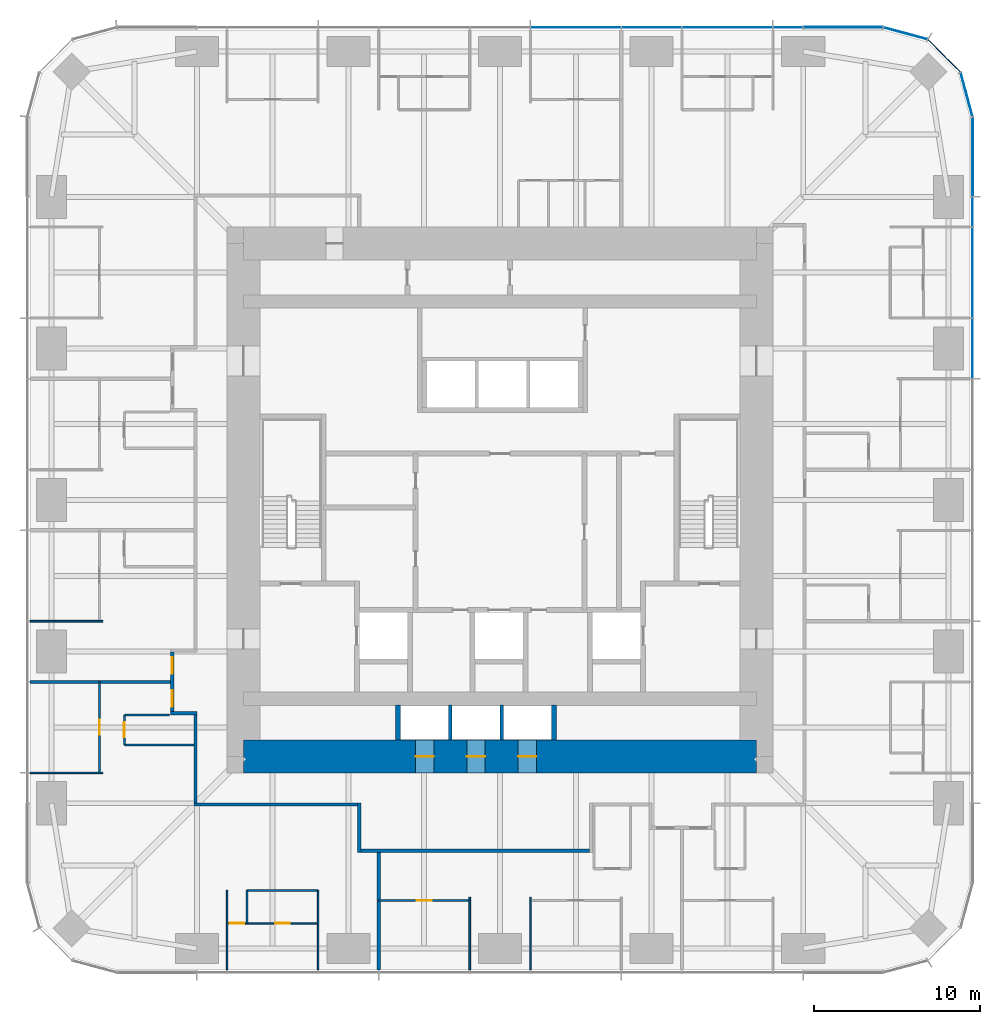
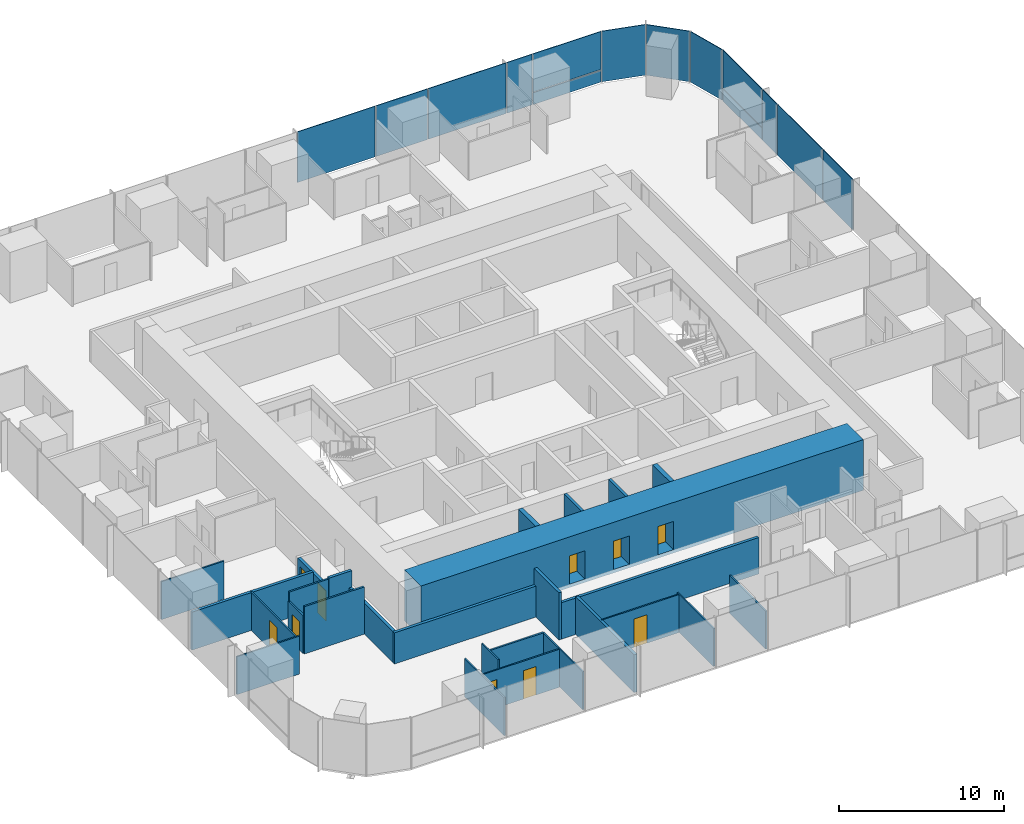
# One storey, part 8 of 13: 27 walls, 14 plates, 10 doors, 10 openings, 3 elements without a shape of their own.
"""IFC4 building model written with IfcOpenShell, lengths in metres."""

from ifc_helpers import new_model, si_unit, direction, frame, frame_2d, origin, origin_2d, place, context, subcontext, project, spatial, rectangle, extrude, material, layer, layer_set, type_object, element, fill, aggregate, save


model = new_model("IFC4")

# Units and contexts
model_context = context("Model", 3, precision=1e-05, world=origin(), true_north=direction((0.0, 1.0)))
body_context = subcontext(model_context, "Body", "Model", "MODEL_VIEW")
ifc_project = project(units=[si_unit("LENGTHUNIT", "METRE"), si_unit("AREAUNIT", "SQUARE_METRE"), si_unit("VOLUMEUNIT", "CUBIC_METRE"), si_unit("PLANEANGLEUNIT", "RADIAN"), si_unit("MASSUNIT", "GRAM", prefix="KILO")], contexts=[model_context])

# Site, building, storey
site_placement = place(None, origin())
site = spatial("IfcSite", under=ifc_project, at=site_placement, CompositionType="ELEMENT")
building_placement = place(site_placement, origin())
building = spatial("IfcBuilding", under=site, at=building_placement, Name="Khuree Lantern Residences", CompositionType="ELEMENT")
storey_placement = place(building_placement, frame((0.0, 0.0, 163.5)))
storey = spatial("IfcBuildingStorey", under=building, at=storey_placement, Name="L41", CompositionType="ELEMENT", Elevation=163.5)

# Curtain wall, plates
ifc_material_1 = material(Name="Bronze anodised aluminium", Category="aluminium")
curtain_wall_type_1 = type_object("IfcCurtainWallType", Name="CW-T2 TOWER CORNER CURTAIN WALL", PredefinedType="USERDEFINED", material=ifc_material_1)
curtain_wall_1_placement = place(storey_placement, origin())
curtain_wall_1 = element("IfcCurtainWall", 1, at=curtain_wall_1_placement, inside=storey, type_object=curtain_wall_type_1, Name="L41 NORTH-EAST CORNER CURTAIN WALL", ObjectType="Faceted corner curtain wall", PredefinedType="USERDEFINED")
ifc_material_2 = material(Name="Bronze tinted triple glazing", Category="glass")
ifc_layer_1 = layer(ifc_material_2, 0.048095703125)
ifc_layer_set_1 = layer_set([ifc_layer_1], Name="FACET PANEL P4")
plate_type_1 = type_object("IfcPlateType", Name="FACET PANEL P4", PredefinedType="CURTAIN_PANEL", material=ifc_layer_set_1)
plate_1_placement = place(storey_placement, frame((28.188720703125, 24.498046875, 0.0), z_axis=(0.0, 0.0, 1.0), x_axis=(-0.258819105321, 0.965925810153, 0.0)))
plate_1 = element("IfcPlate", 2, at=plate_1_placement, type_object=plate_type_1, Name="L41 NORTH-EAST CORNER PANEL 15.1", PredefinedType="CURTAIN_PANEL", context=body_context, shape_type="SweptSolid", body=[
    extrude(rectangle(XDim=2.71923828125, YDim=0.048095703125, at=origin_2d()), origin(), (0.0, 0.0, 1.0), 3.75),
])
plate_2_placement = place(storey_placement, frame((26.83837890625, 26.83837890625, 0.0), z_axis=(0.0, 0.0, 1.0), x_axis=(-0.707106781187, 0.707106781187, 0.0)))
plate_2 = element("IfcPlate", 3, at=plate_2_placement, type_object=plate_type_1, Name="L41 NORTH-EAST CORNER PANEL 16.1", PredefinedType="CURTAIN_PANEL", context=body_context, shape_type="SweptSolid", body=[
    extrude(rectangle(XDim=2.715087890625, YDim=0.048095703125, at=origin_2d()), origin(), (0.0, 0.0, 1.0), 3.75),
])
plate_3_placement = place(storey_placement, frame((24.498046875, 28.188720703125, 0.0), z_axis=(0.0, 0.0, 1.0), x_axis=(-0.965925810153, 0.258819105321, 0.0)))
plate_3 = element("IfcPlate", 4, at=plate_3_placement, type_object=plate_type_1, Name="L41 NORTH-EAST CORNER PANEL 17.1", PredefinedType="CURTAIN_PANEL", context=body_context, shape_type="SweptSolid", body=[
    extrude(rectangle(XDim=2.71923828125, YDim=0.048095703125, at=origin_2d()), origin(), (0.0, 0.0, 1.0), 3.75),
])
aggregate(curtain_wall_1, [plate_1, plate_2, plate_3])

# Curtain wall, plate
curtain_wall_type_2 = type_object("IfcCurtainWallType", Name="CW-T1 TOWER FACE CURTAIN WALL", PredefinedType="USERDEFINED", material=ifc_material_1)
curtain_wall_2_placement = place(storey_placement, origin())
curtain_wall_2 = element("IfcCurtainWall", 5, at=curtain_wall_2_placement, inside=storey, type_object=curtain_wall_type_2, Name="L41 EAST FACE CURTAIN WALL", ObjectType="Stick-built curtain wall", PredefinedType="USERDEFINED")
ifc_material_3 = material(Name="Bronze tinted triple glazing with a ceramic-fritted spandrel band", Category="glass")
ifc_layer_2 = layer(ifc_material_3, 0.048095703125)
ifc_layer_set_2 = layer_set([ifc_layer_2], Name="FIXED LIGHT PANEL P11")
plate_type_2 = type_object("IfcPlateType", Name="FIXED LIGHT PANEL P11", PredefinedType="CURTAIN_PANEL", material=ifc_layer_set_2)
plate_4_placement = place(storey_placement, frame((28.550048828125, 13.739990234375, 0.0), z_axis=(0.0, 0.0, 1.0), x_axis=(0.0, 1.0, 0.0)))
plate_4 = element("IfcPlate", 6, at=plate_4_placement, type_object=plate_type_2, Name="L41 EAST FACE PANEL 12.1", PredefinedType="CURTAIN_PANEL", context=body_context, shape_type="SweptSolid", body=[
    extrude(rectangle(XDim=5.430908203125, YDim=0.048095703125, at=origin_2d()), origin(), (0.0, 0.0, 1.0), 3.75),
])

# Curtain wall, plates
curtain_wall_3_placement = place(storey_placement, origin())
curtain_wall_3 = element("IfcCurtainWall", 7, at=curtain_wall_3_placement, inside=storey, type_object=curtain_wall_type_2, Name="L41 NORTH FACE CURTAIN WALL", ObjectType="Stick-built curtain wall", PredefinedType="USERDEFINED")
plate_5_placement = place(storey_placement, frame((13.739990234375, 28.550048828125, 0.0), z_axis=(0.0, 0.0, 1.0), x_axis=(-1.0, 0.0, 0.0)))
plate_5 = element("IfcPlate", 8, at=plate_5_placement, type_object=plate_type_2, Name="L41 NORTH FACE PANEL 20.1", PredefinedType="CURTAIN_PANEL", context=body_context, shape_type="SweptSolid", body=[
    extrude(rectangle(XDim=5.430908203125, YDim=0.048095703125, at=origin_2d()), origin(), (0.0, 0.0, 1.0), 3.75),
])
plate_6_placement = place(storey_placement, frame((4.580078125, 28.550048828125, 0.0), z_axis=(0.0, 0.0, 1.0), x_axis=(-1.0, 0.0, 0.0)))
plate_6 = element("IfcPlate", 9, at=plate_6_placement, type_object=plate_type_2, Name="L41 NORTH FACE PANEL 22.1", PredefinedType="CURTAIN_PANEL", context=body_context, shape_type="SweptSolid", body=[
    extrude(rectangle(XDim=5.430908203125, YDim=0.048095703125, at=origin_2d()), origin(), (0.0, 0.0, 1.0), 3.75),
])

# Plate
ifc_material_4 = material(Name="Bronze tinted triple glazing, two aluminium-framed sashes in one frame", Category="aluminium")
ifc_layer_3 = layer(ifc_material_4, 0.048095703125)
ifc_layer_set_3 = layer_set([ifc_layer_3], Name="SASH PAIR PANEL P12")
plate_type_3 = type_object("IfcPlateType", Name="SASH PAIR PANEL P12", PredefinedType="CURTAIN_PANEL", material=ifc_layer_set_3)
plate_7_placement = place(storey_placement, frame((28.550048828125, 9.159912109375, 0.0), z_axis=(0.0, 0.0, 1.0), x_axis=(0.0, 1.0, 0.0)))
plate_7 = element("IfcPlate", 10, at=plate_7_placement, type_object=plate_type_3, Name="L41 EAST FACE PANEL 11.1", PredefinedType="CURTAIN_PANEL", context=body_context, shape_type="SweptSolid", body=[
    extrude(rectangle(XDim=3.59912109375, YDim=0.048095703125, at=origin_2d()), origin(), (0.0, 0.0, 1.0), 3.75),
])

plate_8_placement = place(storey_placement, frame((9.159912109375, 28.550048828125, 0.0), z_axis=(0.0, 0.0, 1.0), x_axis=(-1.0, 0.0, 0.0)))
plate_8 = element("IfcPlate", 11, at=plate_8_placement, type_object=plate_type_3, Name="L41 NORTH FACE PANEL 21.1", PredefinedType="CURTAIN_PANEL", context=body_context, shape_type="SweptSolid", body=[
    extrude(rectangle(XDim=3.59912109375, YDim=0.048095703125, at=origin_2d()), origin(), (0.0, 0.0, 1.0), 3.75),
])

ifc_material_5 = material(Name="Bronze tinted triple glazing, aluminium-framed sash", Category="aluminium")
ifc_layer_4 = layer(ifc_material_5, 0.048095703125)
ifc_layer_set_4 = layer_set([ifc_layer_4], Name="SASH PANEL P3")
plate_type_4 = type_object("IfcPlateType", Name="SASH PANEL P3", PredefinedType="CURTAIN_PANEL", material=ifc_layer_set_4)
plate_9_placement = place(storey_placement, frame((28.550048828125, 17.404052734375, 0.0), z_axis=(0.0, 0.0, 1.0), x_axis=(0.0, 1.0, 0.0)))
plate_9 = element("IfcPlate", 12, at=plate_9_placement, type_object=plate_type_4, Name="L41 EAST FACE PANEL 13.1", PredefinedType="CURTAIN_PANEL", context=body_context, shape_type="SweptSolid", body=[
    extrude(rectangle(XDim=1.76708984375, YDim=0.048095703125, at=origin_2d()), origin(), (0.0, 0.0, 1.0), 3.75),
])

plate_10_placement = place(storey_placement, frame((17.404052734375, 28.550048828125, 0.0), z_axis=(0.0, 0.0, 1.0), x_axis=(-1.0, 0.0, 0.0)))
plate_10 = element("IfcPlate", 13, at=plate_10_placement, type_object=plate_type_4, Name="L41 NORTH FACE PANEL 19.1", PredefinedType="CURTAIN_PANEL", context=body_context, shape_type="SweptSolid", body=[
    extrude(rectangle(XDim=1.76708984375, YDim=0.048095703125, at=origin_2d()), origin(), (0.0, 0.0, 1.0), 3.75),
])

ifc_material_6 = material(Name="Bronze anodised aluminium insulated spandrel", Category="aluminium")
ifc_layer_5 = layer(ifc_material_6, 0.06005859375)
ifc_layer_set_5 = layer_set([ifc_layer_5], Name="SPANDREL PANEL P2")
plate_type_5 = type_object("IfcPlateType", Name="SPANDREL PANEL P2", PredefinedType="CURTAIN_PANEL", material=ifc_layer_set_5)
plate_11_placement = place(storey_placement, frame((28.550048828125, 20.73291015625, 0.0), z_axis=(0.0, 0.0, 1.0), x_axis=(0.0, 1.0, 0.0)))
plate_11 = element("IfcPlate", 14, at=plate_11_placement, type_object=plate_type_5, Name="L41 EAST FACE PANEL 14.1", PredefinedType="CURTAIN_PANEL", context=body_context, shape_type="SweptSolid", body=[
    extrude(rectangle(XDim=4.7607421875, YDim=0.06005859375, at=origin_2d()), origin(), (0.0, 0.0, 1.0), 0.867431640625),
])

plate_12_placement = place(storey_placement, frame((20.73291015625, 28.550048828125, 0.0), z_axis=(0.0, 0.0, 1.0), x_axis=(-1.0, 0.0, 0.0)))
plate_12 = element("IfcPlate", 15, at=plate_12_placement, type_object=plate_type_5, Name="L41 NORTH FACE PANEL 18.1", PredefinedType="CURTAIN_PANEL", context=body_context, shape_type="SweptSolid", body=[
    extrude(rectangle(XDim=4.7607421875, YDim=0.06005859375, at=origin_2d()), origin(), (0.0, 0.0, 1.0), 0.867431640625),
])

ifc_layer_6 = layer(ifc_material_2, 0.048095703125)
ifc_layer_set_6 = layer_set([ifc_layer_6], Name="VISION PANEL P1")
plate_type_6 = type_object("IfcPlateType", Name="VISION PANEL P1", PredefinedType="CURTAIN_PANEL", material=ifc_layer_set_6)
plate_13_placement = place(storey_placement, frame((28.550048828125, 20.7333984375, 0.9326171875), z_axis=(0.0, 0.0, 1.0), x_axis=(0.0, 1.0, 0.0)))
plate_13 = element("IfcPlate", 16, at=plate_13_placement, type_object=plate_type_6, Name="L41 EAST FACE PANEL 14.2", PredefinedType="CURTAIN_PANEL", context=body_context, shape_type="SweptSolid", body=[
    extrude(rectangle(XDim=4.761474609375, YDim=0.048095703125, at=origin_2d()), origin(), (0.0, 0.0, 1.0), 2.8173828125),
])

aggregate(curtain_wall_2, [plate_7, plate_4, plate_9, plate_11, plate_13])

plate_14_placement = place(storey_placement, frame((20.7333984375, 28.550048828125, 0.9326171875), z_axis=(0.0, 0.0, 1.0), x_axis=(-1.0, 0.0, 0.0)))
plate_14 = element("IfcPlate", 17, at=plate_14_placement, type_object=plate_type_6, Name="L41 NORTH FACE PANEL 18.2", PredefinedType="CURTAIN_PANEL", context=body_context, shape_type="SweptSolid", body=[
    extrude(rectangle(XDim=4.761474609375, YDim=0.048095703125, at=origin_2d()), origin(), (0.0, 0.0, 1.0), 2.8173828125),
])

aggregate(curtain_wall_3, [plate_12, plate_14, plate_10, plate_5, plate_8, plate_6])

# Wall
ifc_material_7 = material(Name="Moisture-resistant gypsum board on steel studs", Category="steel")
ifc_layer_7 = layer(ifc_material_7, 0.125)
ifc_layer_set_7 = layer_set([ifc_layer_7], Name="BATHROOM WALL BTW125")
wall_type_1 = type_object("IfcWallType", Name="BATHROOM WALL BTW125", PredefinedType="PARTITIONING", material=ifc_layer_set_7)
wall_1_placement = place(storey_placement, frame((-15.2880859375, -23.579833984375, 0.0), z_axis=(0.0, 0.0, 1.0), x_axis=(1.0, 0.0, 0.0)))
element("IfcWall", 18, at=wall_1_placement, inside=storey, type_object=wall_type_1, Name="L41 BATHROOM WALL 06", PredefinedType="PARTITIONING", context=body_context, shape_type="SweptSolid", body=[
    extrude(rectangle(XDim=4.296142578125, YDim=0.125, at=frame_2d((2.14794921875, 0.0))), origin(), (0.0, 0.0, 1.0), 2.81005859375),
])

# Wall, opening, door
wall_2_placement = place(storey_placement, frame((-22.699951171875, -12.991943359375, 0.0), z_axis=(0.0, 0.0, 1.0), x_axis=(0.0, -1.0, 0.0)))
wall_2 = element("IfcWall", 19, at=wall_2_placement, inside=storey, type_object=wall_type_1, Name="L41 BATHROOM WALL 06", PredefinedType="PARTITIONING", context=body_context, shape_type="SweptSolid", body=[
    extrude(rectangle(XDim=1.800048828125, YDim=0.125, at=frame_2d((0.89990234375, 0.0))), origin(), (0.0, 0.0, 1.0), 2.81005859375),
])
opening_1_placement = place(wall_2_placement, frame((0.449951171875, 0.0, 0.0)))
opening_1 = element("IfcOpeningElement", 20, at=opening_1_placement, cuts=wall_2, Name="Opening 41-052", PredefinedType="OPENING", context=body_context, shape_type="SweptSolid", body=[
    extrude(rectangle(XDim=0.89990234375, YDim=2.10009765625, at=frame_2d((0.449951171875, 1.050048828125))), frame((0.0, 0.072509765625, 0.0), z_axis=(0.0, -1.0, 0.0), x_axis=(1.0, 0.0, 0.0)), (0.0, 0.0, 1.0), 0.14501953125),
])
ifc_material_8 = material(Name="Timber door leaf in hardwood frame", Category="wood")
door_type_1 = type_object("IfcDoorType", Name="BATHROOM DOOR 900X2100", OperationType="SINGLE_SWING_LEFT", PredefinedType="DOOR", material=ifc_material_8)
door_1_placement = place(opening_1_placement, origin())
door_1 = element("IfcDoor", 21, at=door_1_placement, inside=storey, type_object=door_type_1, Name="Bathroom door 41-052", OperationType="SINGLE_SWING_LEFT", OverallHeight=2.10009765625, OverallWidth=0.89990234375, PredefinedType="DOOR", context=body_context, shape_type="SweptSolid", body=[
    extrude(rectangle(XDim=0.89990234375, YDim=2.10009765625, at=frame_2d((0.449951171875, 1.050048828125))), frame((0.0, 0.02490234375, 0.0), z_axis=(0.0, -1.0, 0.0), x_axis=(1.0, 0.0, 0.0)), (0.0, 0.0, 1.0), 0.050048828125),
])
fill(opening_1, door_1)

# Walls
wall_3_placement = place(storey_placement, frame((-19.969970703125, -12.991943359375, 0.0), z_axis=(0.0, 0.0, 1.0), x_axis=(-1.0, 0.0, 0.0)))
element("IfcWall", 22, at=wall_3_placement, inside=storey, type_object=wall_type_1, Name="L41 BATHROOM WALL 06", PredefinedType="PARTITIONING", context=body_context, shape_type="SweptSolid", body=[
    extrude(rectangle(XDim=2.72998046875, YDim=0.125, at=frame_2d((1.364990234375, 0.0))), origin(), (0.0, 0.0, 1.0), 3.5),
])
wall_4_placement = place(storey_placement, frame((-18.5, -14.7919921875, 0.0), z_axis=(0.0, 0.0, 1.0), x_axis=(-1.0, 0.0, 0.0)))
element("IfcWall", 23, at=wall_4_placement, inside=storey, type_object=wall_type_1, Name="L41 BATHROOM WALL 06", PredefinedType="PARTITIONING", context=body_context, shape_type="SweptSolid", body=[
    extrude(rectangle(XDim=4.199951171875, YDim=0.125, at=frame_2d((2.10009765625, 0.0))), origin(), (0.0, 0.0, 1.0), 3.5),
])
ifc_material_9 = material(Name="Dense concrete blockwork", Category="masonry")
ifc_layer_8 = layer(ifc_material_9, 0.300048828125)
ifc_layer_set_8 = layer_set([ifc_layer_8], Name="CORE PARTITION WALL CPW300 EI 120")
wall_type_2 = type_object("IfcWallType", Name="CORE PARTITION WALL CPW300 EI 120", PredefinedType="PARTITIONING", material=ifc_layer_set_8)
for number, where, z_axis, x_axis, name in (
    (24, (-6.14990234375, -14.5, 0.0), (0.0, 0.0, 1.0), (0.0, 1.0, 0.0), "L41 CORE WALL PMW"),
    (25, (3.25, -14.5, 0.0), (0.0, 0.0, 1.0), (0.0, 1.0, 0.0), "L41 CORE WALL PME"),
):
    element("IfcWall", number, at=place(storey_placement, frame(where, z_axis=z_axis, x_axis=x_axis)), inside=storey, type_object=wall_type_2, Name=name, PredefinedType="PARTITIONING", context=body_context, shape_type="SweptSolid", body=[
        extrude(rectangle(XDim=2.10009765625, YDim=0.300048828125, at=frame_2d((1.050048828125, 0.0))), origin(), (0.0, 0.0, 1.0), 3.5),
    ])
ifc_material_10 = material(Name="Gypsum board on steel studs", Category="steel")
ifc_layer_9 = layer(ifc_material_10, 0.199951171875)
ifc_layer_set_9 = layer_set([ifc_layer_9], Name="CORRIDOR WALL CRW200 EI 60")
wall_type_3 = type_object("IfcWallType", Name="CORRIDOR WALL CRW200 EI 60", PredefinedType="PARTITIONING", material=ifc_layer_set_9)
wall_5_placement = place(storey_placement, frame((-18.300048828125, -12.89208984375, 0.0), z_axis=(0.0, 0.0, 1.0), x_axis=(-1.0, 0.0, 0.0)))
element("IfcWall", 26, at=wall_5_placement, inside=storey, type_object=wall_type_3, Name="L41 CORRIDOR ALCOVE WALL WEST", PredefinedType="PARTITIONING", context=body_context, shape_type="SweptSolid", body=[
    extrude(rectangle(XDim=1.599853515625, YDim=0.199951171875, at=frame_2d((0.7998046875, 0.0))), origin(), (0.0, 0.0, 1.0), 3.5),
])

# Wall, openings, doors
wall_6_placement = place(storey_placement, frame((-19.800048828125, -9.19189453125, 0.0), z_axis=(0.0, 0.0, 1.0), x_axis=(0.0, -1.0, 0.0)))
wall_6 = element("IfcWall", 27, at=wall_6_placement, inside=storey, type_object=wall_type_3, Name="L41 CORRIDOR ALCOVE WALL WEST", PredefinedType="PARTITIONING", context=body_context, shape_type="SweptSolid", body=[
    extrude(rectangle(XDim=3.60009765625, YDim=0.199951171875, at=frame_2d((1.800048828125, 0.0))), origin(), (0.0, 0.0, 1.0), 2.699951171875),
])
opening_2_placement = place(wall_6_placement, frame((0.300048828125, 0.0, 0.0)))
opening_2 = element("IfcOpeningElement", 28, at=opening_2_placement, cuts=wall_6, Name="Opening 41-048", PredefinedType="OPENING", context=body_context, shape_type="SweptSolid", body=[
    extrude(rectangle(XDim=1.0, YDim=2.199951171875, at=frame_2d((0.5, 1.10009765625))), frame((0.0, 0.10986328125, 0.0), z_axis=(0.0, -1.0, 0.0), x_axis=(1.0, 0.0, 0.0)), (0.0, 0.0, 1.0), 0.219970703125),
])
opening_3_placement = place(wall_6_placement, frame((2.300048828125, 0.0, 0.0)))
opening_3 = element("IfcOpeningElement", 29, at=opening_3_placement, cuts=wall_6, Name="Opening 41-053", PredefinedType="OPENING", context=body_context, shape_type="SweptSolid", body=[
    extrude(rectangle(XDim=1.0, YDim=2.199951171875, at=frame_2d((0.5, 1.10009765625))), frame((0.0, 0.10986328125, 0.0), z_axis=(0.0, -1.0, 0.0), x_axis=(1.0, 0.0, 0.0)), (0.0, 0.0, 1.0), 0.219970703125),
])
door_type_2 = type_object("IfcDoorType", Name="APARTMENT ENTRANCE DOOR 1000X2200 EI 30S", OperationType="SINGLE_SWING_LEFT", PredefinedType="DOOR", material=ifc_material_8)
door_2_placement = place(opening_2_placement, origin())
door_2 = element("IfcDoor", 30, at=door_2_placement, inside=storey, type_object=door_type_2, Name="Apartment 05 entrance door 41-048", OperationType="SINGLE_SWING_LEFT", OverallHeight=2.199951171875, OverallWidth=1.0, PredefinedType="DOOR", context=body_context, shape_type="SweptSolid", body=[
    extrude(rectangle(XDim=1.0, YDim=2.199951171875, at=frame_2d((0.5, 1.10009765625))), frame((0.0, 0.02490234375, 0.0), z_axis=(0.0, -1.0, 0.0), x_axis=(1.0, 0.0, 0.0)), (0.0, 0.0, 1.0), 0.050048828125),
])
fill(opening_2, door_2)
door_type_3 = type_object("IfcDoorType", Name="APARTMENT ENTRANCE DOOR 1000X2200 EI 30S RIGHT HAND", OperationType="SINGLE_SWING_RIGHT", PredefinedType="DOOR", material=ifc_material_8)
door_3_placement = place(opening_3_placement, origin())
door_3 = element("IfcDoor", 31, at=door_3_placement, inside=storey, type_object=door_type_3, Name="Apartment 06 entrance door 41-053", OperationType="SINGLE_SWING_RIGHT", OverallHeight=2.199951171875, OverallWidth=1.0, PredefinedType="DOOR", context=body_context, shape_type="SweptSolid", body=[
    extrude(rectangle(XDim=1.0, YDim=2.199951171875, at=frame_2d((0.5, 1.10009765625))), frame((0.0, 0.02490234375, 0.0), z_axis=(0.0, -1.0, 0.0), x_axis=(1.0, 0.0, 0.0)), (0.0, 0.0, 1.0), 0.050048828125),
])
fill(opening_3, door_3)

# Walls
wall_7_placement = place(storey_placement, frame((-18.39990234375, -12.991943359375, 0.0), z_axis=(0.0, 0.0, 1.0), x_axis=(0.0, -1.0, 0.0)))
element("IfcWall", 32, at=wall_7_placement, inside=storey, type_object=wall_type_3, Name="L41 CORRIDOR WALL WEST 3", PredefinedType="PARTITIONING", context=body_context, shape_type="SweptSolid", body=[
    extrude(rectangle(XDim=5.30810546875, YDim=0.199951171875, at=frame_2d((2.654052734375, 0.0))), origin(), (0.0, 0.0, 1.0), 2.300048828125),
])
wall_8_placement = place(storey_placement, frame((-8.5, -18.300048828125, 0.0), z_axis=(0.0, 0.0, 1.0), x_axis=(0.0, -1.0, 0.0)))
element("IfcWall", 33, at=wall_8_placement, inside=storey, type_object=wall_type_3, Name="L41 LIFT LOBBY WALL", PredefinedType="PARTITIONING", context=body_context, shape_type="SweptSolid", body=[
    extrude(rectangle(XDim=3.0, YDim=0.199951171875, at=frame_2d((1.5, 0.0))), origin(), (0.0, 0.0, 1.0), 3.5),
])
wall_9_placement = place(storey_placement, frame((5.39990234375, -21.199951171875, 0.0), z_axis=(0.0, 0.0, 1.0), x_axis=(-1.0, 0.0, 0.0)))
element("IfcWall", 34, at=wall_9_placement, inside=storey, type_object=wall_type_3, Name="L41 LIFT LOBBY WALL", PredefinedType="PARTITIONING", context=body_context, shape_type="SweptSolid", body=[
    extrude(rectangle(XDim=13.7998046875, YDim=0.199951171875, at=frame_2d((6.89990234375, 0.0))), origin(), (0.0, 0.0, 1.0), 2.699951171875),
])
wall_10_placement = place(storey_placement, frame((-8.60009765625, -18.39990234375, 0.0), z_axis=(0.0, 0.0, 1.0), x_axis=(-1.0, 0.0, 0.0)))
element("IfcWall", 35, at=wall_10_placement, inside=storey, type_object=wall_type_3, Name="L41 CORRIDOR WALL SOUTH 3", PredefinedType="PARTITIONING", context=body_context, shape_type="SweptSolid", body=[
    extrude(rectangle(XDim=9.89990234375, YDim=0.199951171875, at=frame_2d((4.949951171875, 0.0))), origin(), (0.0, 0.0, 1.0), 2.300048828125),
])

# Wall, openings, doors
ifc_material_11 = material(Name="Concrete C70/85", Category="concrete")
ifc_layer_10 = layer(ifc_material_11, 2.0)
ifc_layer_set_10 = layer_set([ifc_layer_10], Name="CW2000-C70 CORE WALL C70 2000")
wall_type_4 = type_object("IfcWallType", Name="CW2000-C70 CORE WALL C70 2000", PredefinedType="SHEAR", material=ifc_layer_set_10)
wall_11_placement = place(storey_placement, frame((-15.5, -15.5, -0.25), z_axis=(0.0, 0.0, 1.0), x_axis=(1.0, 0.0, 0.0)))
wall_11 = element("IfcWall", 36, at=wall_11_placement, inside=storey, type_object=wall_type_4, Name="Core wall S", PredefinedType="SHEAR", context=body_context, shape_type="SweptSolid", body=[
    extrude(rectangle(XDim=31.0, YDim=2.0, at=frame_2d((15.5, 0.0))), origin(), (0.0, 0.0, 1.0), 3.75),
])
opening_4_placement = place(wall_11_placement, frame((10.39990234375, 0.0, 0.25)))
opening_4 = element("IfcOpeningElement", 37, at=opening_4_placement, cuts=wall_11, Name="Opening 41-009", PredefinedType="OPENING", context=body_context, shape_type="SweptSolid", body=[
    extrude(rectangle(XDim=1.10009765625, YDim=2.10009765625, at=frame_2d((0.550048828125, 1.050048828125))), frame((0.0, 1.010009765625, 0.0), z_axis=(0.0, -1.0, 0.0), x_axis=(1.0, 0.0, 0.0)), (0.0, 0.0, 1.0), 2.02001953125),
])
opening_5_placement = place(wall_11_placement, frame((13.5, 0.0, 0.25)))
opening_5 = element("IfcOpeningElement", 38, at=opening_5_placement, cuts=wall_11, Name="Opening 41-010", PredefinedType="OPENING", context=body_context, shape_type="SweptSolid", body=[
    extrude(rectangle(XDim=1.10009765625, YDim=2.10009765625, at=frame_2d((0.550048828125, 1.050048828125))), frame((0.0, 1.010009765625, 0.0), z_axis=(0.0, -1.0, 0.0), x_axis=(1.0, 0.0, 0.0)), (0.0, 0.0, 1.0), 2.02001953125),
])
opening_6_placement = place(wall_11_placement, frame((16.60009765625, 0.0, 0.25)))
opening_6 = element("IfcOpeningElement", 39, at=opening_6_placement, cuts=wall_11, Name="Opening 41-011", PredefinedType="OPENING", context=body_context, shape_type="SweptSolid", body=[
    extrude(rectangle(XDim=1.10009765625, YDim=2.10009765625, at=frame_2d((0.550048828125, 1.050048828125))), frame((0.0, 1.010009765625, 0.0), z_axis=(0.0, -1.0, 0.0), x_axis=(1.0, 0.0, 0.0)), (0.0, 0.0, 1.0), 2.02001953125),
])
ifc_material_12 = material(Name="Stainless steel lift landing door", Category="steel")
door_type_4 = type_object("IfcDoorType", Name="LIFT LANDING DOOR 1100X2100 E 60", OperationType="DOUBLE_DOOR_SLIDING", PredefinedType="DOOR", material=ifc_material_12)
door_4_placement = place(opening_4_placement, origin())
door_4 = element("IfcDoor", 40, at=door_4_placement, inside=storey, type_object=door_type_4, Name="Landing door PM1 41-009", OperationType="DOUBLE_DOOR_SLIDING", OverallHeight=2.10009765625, OverallWidth=1.10009765625, PredefinedType="DOOR", context=body_context, shape_type="SweptSolid", body=[
    extrude(rectangle(XDim=1.10009765625, YDim=2.10009765625, at=frame_2d((0.550048828125, 1.050048828125))), frame((0.0, 0.02490234375, 0.0), z_axis=(0.0, -1.0, 0.0), x_axis=(1.0, 0.0, 0.0)), (0.0, 0.0, 1.0), 0.050048828125),
])
fill(opening_4, door_4)
door_5_placement = place(opening_5_placement, origin())
door_5 = element("IfcDoor", 41, at=door_5_placement, inside=storey, type_object=door_type_4, Name="Landing door PM2 41-010", OperationType="DOUBLE_DOOR_SLIDING", OverallHeight=2.10009765625, OverallWidth=1.10009765625, PredefinedType="DOOR", context=body_context, shape_type="SweptSolid", body=[
    extrude(rectangle(XDim=1.10009765625, YDim=2.10009765625, at=frame_2d((0.550048828125, 1.050048828125))), frame((0.0, 0.02490234375, 0.0), z_axis=(0.0, -1.0, 0.0), x_axis=(1.0, 0.0, 0.0)), (0.0, 0.0, 1.0), 0.050048828125),
])
fill(opening_5, door_5)
door_6_placement = place(opening_6_placement, origin())
door_6 = element("IfcDoor", 42, at=door_6_placement, inside=storey, type_object=door_type_4, Name="Landing door PM3 41-011", OperationType="DOUBLE_DOOR_SLIDING", OverallHeight=2.10009765625, OverallWidth=1.10009765625, PredefinedType="DOOR", context=body_context, shape_type="SweptSolid", body=[
    extrude(rectangle(XDim=1.10009765625, YDim=2.10009765625, at=frame_2d((0.550048828125, 1.050048828125))), frame((0.0, 0.02490234375, 0.0), z_axis=(0.0, -1.0, 0.0), x_axis=(1.0, 0.0, 0.0)), (0.0, 0.0, 1.0), 0.050048828125),
])
fill(opening_6, door_6)

# Walls
ifc_layer_11 = layer(ifc_material_10, 0.199951171875)
ifc_layer_set_11 = layer_set([ifc_layer_11], Name="DEMISING WALL DMW200 EI 90")
wall_type_5 = type_object("IfcWallType", Name="DEMISING WALL DMW200 EI 90", PredefinedType="PARTITIONING", material=ifc_layer_set_11)
wall_12_placement = place(storey_placement, frame((-19.89990234375, -10.991943359375, 0.0), z_axis=(0.0, 0.0, 1.0), x_axis=(-1.0, 0.0, 0.0)))
element("IfcWall", 43, at=wall_12_placement, inside=storey, type_object=wall_type_5, Name="L41 DEMISING WALL 06", PredefinedType="PARTITIONING", context=body_context, shape_type="SweptSolid", body=[
    extrude(rectangle(XDim=8.5, YDim=0.199951171875, at=frame_2d((4.25, 0.0))), origin(), (0.0, 0.0, 1.0), 2.81005859375),
])
wall_13_placement = place(storey_placement, frame((-7.327880859375, -21.300048828125, 0.0), z_axis=(0.0, 0.0, 1.0), x_axis=(0.0, -1.0, 0.0)))
element("IfcWall", 44, at=wall_13_placement, inside=storey, type_object=wall_type_5, Name="L41 DEMISING WALL 07", PredefinedType="PARTITIONING", context=body_context, shape_type="SweptSolid", body=[
    extrude(rectangle(XDim=7.099853515625, YDim=0.199951171875, at=frame_2d((3.5498046875, 0.0))), origin(), (0.0, 0.0, 1.0), 2.81005859375),
])
ifc_layer_12 = layer(ifc_material_10, 0.10009765625)
ifc_layer_set_12 = layer_set([ifc_layer_12], Name="PARTITION PT100")
wall_type_6 = type_object("IfcWallType", Name="PARTITION PT100", PredefinedType="PARTITIONING", material=ifc_layer_set_12)
for number, where, z_axis, x_axis, name in (
    (45, (-24.0, -7.327880859375, 0.0), (0.0, 0.0, 1.0), (-1.0, 0.0, 0.0), "L41 PARTITION 05"),
    (46, (-24.0, -16.488037109375, 0.0), (0.0, 0.0, 1.0), (-1.0, 0.0, 0.0), "L41 PARTITION 06"),
):
    element("IfcWall", number, at=place(storey_placement, frame(where, z_axis=z_axis, x_axis=x_axis)), inside=storey, type_object=wall_type_6, Name=name, PredefinedType="PARTITIONING", context=body_context, shape_type="SweptSolid", body=[
        extrude(rectangle(XDim=4.39990234375, YDim=0.10009765625, at=frame_2d((2.199951171875, 0.0))), origin(), (0.0, 0.0, 1.0), 2.81005859375),
    ])
for number, where, z_axis, x_axis, name in (
    (47, (-16.488037109375, -23.579833984375, 0.0), (0.0, 0.0, 1.0), (0.0, -1.0, 0.0), "L41 PARTITION 06"),
    (48, (-10.991943359375, -23.579833984375, 0.0), (0.0, 0.0, 1.0), (0.0, -1.0, 0.0), "L41 PARTITION 06"),
):
    element("IfcWall", number, at=place(storey_placement, frame(where, z_axis=z_axis, x_axis=x_axis)), inside=storey, type_object=wall_type_6, Name=name, PredefinedType="PARTITIONING", context=body_context, shape_type="SweptSolid", body=[
        extrude(rectangle(XDim=4.820068359375, YDim=0.10009765625, at=frame_2d((2.41015625, 0.0))), origin(), (0.0, 0.0, 1.0), 2.81005859375),
    ])
for number, where, z_axis, x_axis, name in (
    (49, (-1.83203125, -24.0, 0.0), (0.0, 0.0, 1.0), (0.0, -1.0, 0.0), "L41 PARTITION 07"),
    (50, (1.83203125, -24.0, 0.0), (0.0, 0.0, 1.0), (0.0, -1.0, 0.0), "L41 PARTITION 07"),
):
    element("IfcWall", number, at=place(storey_placement, frame(where, z_axis=z_axis, x_axis=x_axis)), inside=storey, type_object=wall_type_6, Name=name, PredefinedType="PARTITIONING", context=body_context, shape_type="SweptSolid", body=[
        extrude(rectangle(XDim=4.39990234375, YDim=0.10009765625, at=frame_2d((2.199951171875, 0.0))), origin(), (0.0, 0.0, 1.0), 2.81005859375),
    ])

# Wall, opening, door
wall_14_placement = place(storey_placement, frame((-24.199951171875, -10.991943359375, 0.0), z_axis=(0.0, 0.0, 1.0), x_axis=(0.0, -1.0, 0.0)))
wall_14 = element("IfcWall", 51, at=wall_14_placement, inside=storey, type_object=wall_type_6, Name="L41 PARTITION 06", PredefinedType="PARTITIONING", context=body_context, shape_type="SweptSolid", body=[
    extrude(rectangle(XDim=5.49609375, YDim=0.10009765625, at=frame_2d((2.748046875, 0.0))), origin(), (0.0, 0.0, 1.0), 2.81005859375),
])
opening_7_placement = place(wall_14_placement, frame((2.298095703125, 0.0, 0.0)))
opening_7 = element("IfcOpeningElement", 52, at=opening_7_placement, cuts=wall_14, Name="Opening 41-049", PredefinedType="OPENING", context=body_context, shape_type="SweptSolid", body=[
    extrude(rectangle(XDim=0.89990234375, YDim=2.10009765625, at=frame_2d((0.449951171875, 1.050048828125))), frame((0.0, 0.06005859375, 0.0), z_axis=(0.0, -1.0, 0.0), x_axis=(1.0, 0.0, 0.0)), (0.0, 0.0, 1.0), 0.1201171875),
])
door_type_5 = type_object("IfcDoorType", Name="BEDROOM DOOR 900X2100", OperationType="SINGLE_SWING_LEFT", PredefinedType="DOOR", material=ifc_material_8)
door_7_placement = place(opening_7_placement, origin())
door_7 = element("IfcDoor", 53, at=door_7_placement, inside=storey, type_object=door_type_5, Name="Bedroom door 41-049", OperationType="SINGLE_SWING_LEFT", OverallHeight=2.10009765625, OverallWidth=0.89990234375, PredefinedType="DOOR", context=body_context, shape_type="SweptSolid", body=[
    extrude(rectangle(XDim=0.89990234375, YDim=2.10009765625, at=frame_2d((0.449951171875, 1.050048828125))), frame((0.0, 0.02490234375, 0.0), z_axis=(0.0, -1.0, 0.0), x_axis=(1.0, 0.0, 0.0)), (0.0, 0.0, 1.0), 0.050048828125),
])
fill(opening_7, door_7)

# Wall, openings, doors
wall_15_placement = place(storey_placement, frame((-16.488037109375, -25.579833984375, 0.0), z_axis=(0.0, 0.0, 1.0), x_axis=(1.0, 0.0, 0.0)))
wall_15 = element("IfcWall", 54, at=wall_15_placement, inside=storey, type_object=wall_type_6, Name="L41 PARTITION 06", PredefinedType="PARTITIONING", context=body_context, shape_type="SweptSolid", body=[
    extrude(rectangle(XDim=5.49609375, YDim=0.10009765625, at=frame_2d((2.748046875, 0.0))), origin(), (0.0, 0.0, 1.0), 2.81005859375),
])
opening_8_placement = place(wall_15_placement, frame((0.14990234375, 0.0, 0.0)))
opening_8 = element("IfcOpeningElement", 55, at=opening_8_placement, cuts=wall_15, Name="Opening 41-050", PredefinedType="OPENING", context=body_context, shape_type="SweptSolid", body=[
    extrude(rectangle(XDim=0.89990234375, YDim=2.10009765625, at=frame_2d((0.449951171875, 1.050048828125))), frame((0.0, 0.06005859375, 0.0), z_axis=(0.0, -1.0, 0.0), x_axis=(1.0, 0.0, 0.0)), (0.0, 0.0, 1.0), 0.1201171875),
])
opening_9_placement = place(wall_15_placement, frame((2.89794921875, 0.0, 0.0)))
opening_9 = element("IfcOpeningElement", 56, at=opening_9_placement, cuts=wall_15, Name="Opening 41-051", PredefinedType="OPENING", context=body_context, shape_type="SweptSolid", body=[
    extrude(rectangle(XDim=0.89990234375, YDim=2.10009765625, at=frame_2d((0.449951171875, 1.050048828125))), frame((0.0, 0.06005859375, 0.0), z_axis=(0.0, -1.0, 0.0), x_axis=(1.0, 0.0, 0.0)), (0.0, 0.0, 1.0), 0.1201171875),
])
door_8_placement = place(opening_9_placement, origin())
door_8 = element("IfcDoor", 57, at=door_8_placement, inside=storey, type_object=door_type_1, Name="Bathroom door 41-051", OperationType="SINGLE_SWING_LEFT", OverallHeight=2.10009765625, OverallWidth=0.89990234375, PredefinedType="DOOR", context=body_context, shape_type="SweptSolid", body=[
    extrude(rectangle(XDim=0.89990234375, YDim=2.10009765625, at=frame_2d((0.449951171875, 1.050048828125))), frame((0.0, 0.02490234375, 0.0), z_axis=(0.0, -1.0, 0.0), x_axis=(1.0, 0.0, 0.0)), (0.0, 0.0, 1.0), 0.050048828125),
])
fill(opening_9, door_8)
door_9_placement = place(opening_8_placement, origin())
door_9 = element("IfcDoor", 58, at=door_9_placement, inside=storey, type_object=door_type_5, Name="Bedroom door 41-050", OperationType="SINGLE_SWING_LEFT", OverallHeight=2.10009765625, OverallWidth=0.89990234375, PredefinedType="DOOR", context=body_context, shape_type="SweptSolid", body=[
    extrude(rectangle(XDim=0.89990234375, YDim=2.10009765625, at=frame_2d((0.449951171875, 1.050048828125))), frame((0.0, 0.02490234375, 0.0), z_axis=(0.0, -1.0, 0.0), x_axis=(1.0, 0.0, 0.0)), (0.0, 0.0, 1.0), 0.050048828125),
])
fill(opening_8, door_9)

# Wall
wall_16_placement = place(storey_placement, frame((-15.2880859375, -23.579833984375, 0.0), z_axis=(0.0, 0.0, 1.0), x_axis=(0.0, -1.0, 0.0)))
element("IfcWall", 59, at=wall_16_placement, inside=storey, type_object=wall_type_6, Name="L41 PARTITION 06", PredefinedType="PARTITIONING", context=body_context, shape_type="SweptSolid", body=[
    extrude(rectangle(XDim=2.0, YDim=0.10009765625, at=frame_2d((1.0, 0.0))), origin(), (0.0, 0.0, 1.0), 3.5),
])

# Wall, opening, door
wall_17_placement = place(storey_placement, frame((-7.327880859375, -24.199951171875, 0.0), z_axis=(0.0, 0.0, 1.0), x_axis=(1.0, 0.0, 0.0)))
wall_17 = element("IfcWall", 60, at=wall_17_placement, inside=storey, type_object=wall_type_6, Name="L41 PARTITION 07", PredefinedType="PARTITIONING", context=body_context, shape_type="SweptSolid", body=[
    extrude(rectangle(XDim=5.495849609375, YDim=0.10009765625, at=frame_2d((2.748046875, 0.0))), origin(), (0.0, 0.0, 1.0), 2.81005859375),
])
opening_10_placement = place(wall_17_placement, frame((2.298095703125, 0.0, 0.0)))
opening_10 = element("IfcOpeningElement", 61, at=opening_10_placement, cuts=wall_17, Name="Opening 41-054", PredefinedType="OPENING", context=body_context, shape_type="SweptSolid", body=[
    extrude(rectangle(XDim=0.89990234375, YDim=2.10009765625, at=frame_2d((0.449951171875, 1.050048828125))), frame((0.0, 0.06005859375, 0.0), z_axis=(0.0, -1.0, 0.0), x_axis=(1.0, 0.0, 0.0)), (0.0, 0.0, 1.0), 0.1201171875),
])
door_10_placement = place(opening_10_placement, origin())
door_10 = element("IfcDoor", 62, at=door_10_placement, inside=storey, type_object=door_type_5, Name="Bedroom door 41-054", OperationType="SINGLE_SWING_LEFT", OverallHeight=2.10009765625, OverallWidth=0.89990234375, PredefinedType="DOOR", context=body_context, shape_type="SweptSolid", body=[
    extrude(rectangle(XDim=0.89990234375, YDim=2.10009765625, at=frame_2d((0.449951171875, 1.050048828125))), frame((0.0, 0.02490234375, 0.0), z_axis=(0.0, -1.0, 0.0), x_axis=(1.0, 0.0, 0.0)), (0.0, 0.0, 1.0), 0.050048828125),
])
fill(opening_10, door_10)

# Walls
ifc_layer_13 = layer(ifc_material_9, 0.199951171875)
ifc_layer_set_13 = layer_set([ifc_layer_13], Name="SHAFT WALL SHW200 EI 120")
wall_type_7 = type_object("IfcWallType", Name="SHAFT WALL SHW200 EI 120", PredefinedType="PARTITIONING", material=ifc_layer_set_13)
for number, where, z_axis, x_axis, name in (
    (63, (-3.0, -14.5, 0.0), (0.0, 0.0, 1.0), (0.0, 1.0, 0.0), "L41 CORE WALL PMD1"),
    (64, (0.10009765625, -14.5, 0.0), (0.0, 0.0, 1.0), (0.0, 1.0, 0.0), "L41 CORE WALL PMD2"),
):
    element("IfcWall", number, at=place(storey_placement, frame(where, z_axis=z_axis, x_axis=x_axis)), inside=storey, type_object=wall_type_7, Name=name, PredefinedType="PARTITIONING", context=body_context, shape_type="SweptSolid", body=[
        extrude(rectangle(XDim=2.10009765625, YDim=0.199951171875, at=frame_2d((1.050048828125, 0.0))), origin(), (0.0, 0.0, 1.0), 3.5),
    ])

save(model, "model.ifc")
